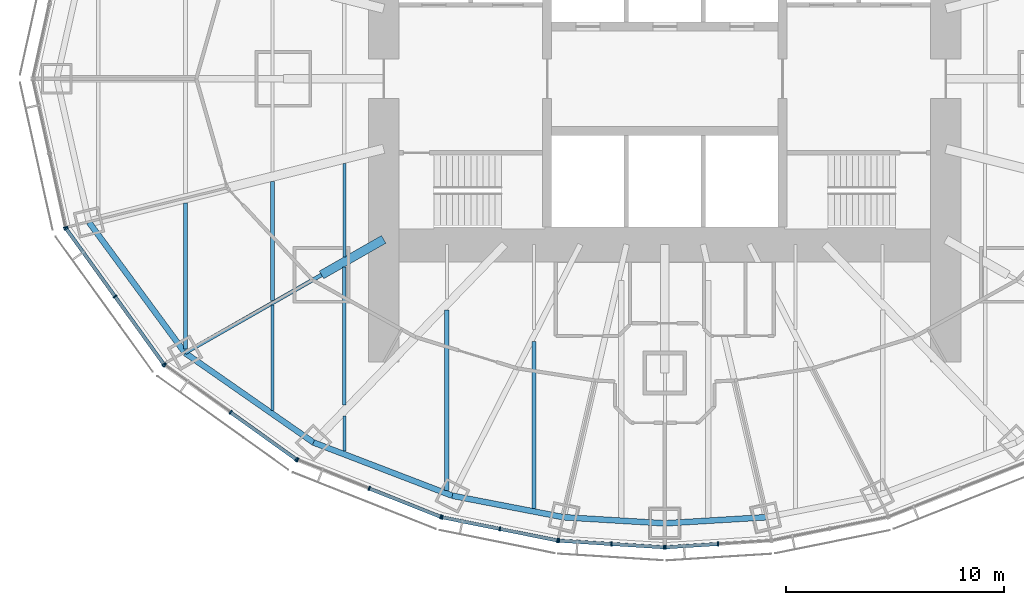
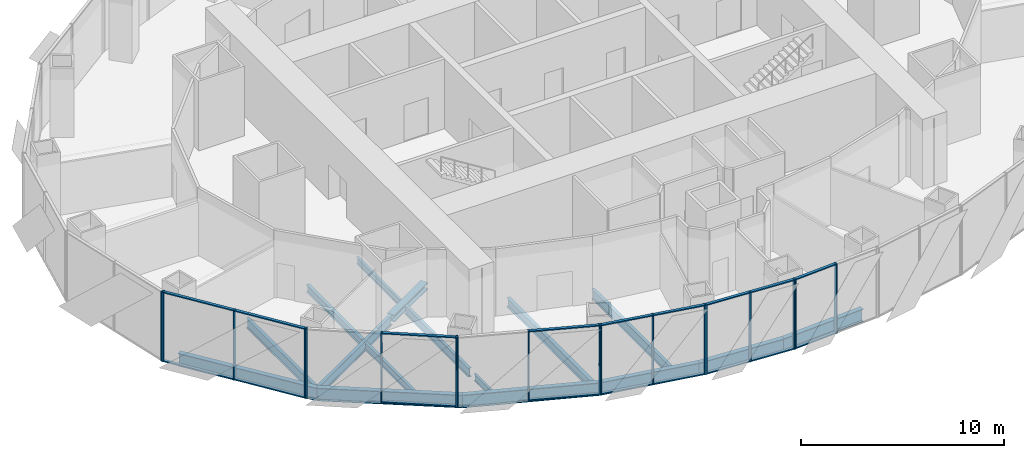
# One storey, part 2 of 17: 36 members, 16 beams, 7 elements without a shape of their own.
"""IFC4 building model written with IfcOpenShell, lengths in metres."""

from ifc_helpers import new_model, si_unit, direction, frame, origin, origin_2d, place, context, subcontext, project, spatial, rectangle, i_section, extrude, material, material_profile, profile_set, type_object, element, aggregate, save


model = new_model("IFC4")

# Units and contexts
model_context = context("Model", 3, precision=1e-05, world=origin(), true_north=direction((0.0, 1.0)))
body_context = subcontext(model_context, "Body", "Model", "MODEL_VIEW")
ifc_project = project(units=[si_unit("LENGTHUNIT", "METRE"), si_unit("AREAUNIT", "SQUARE_METRE"), si_unit("VOLUMEUNIT", "CUBIC_METRE"), si_unit("PLANEANGLEUNIT", "RADIAN"), si_unit("MASSUNIT", "GRAM", prefix="KILO")], contexts=[model_context])

# Site, building, storey
site_placement = place(None, origin())
site = spatial("IfcSite", under=ifc_project, at=site_placement, CompositionType="ELEMENT")
building_placement = place(site_placement, origin())
building = spatial("IfcBuilding", under=site, at=building_placement, Name="Lantaw Convention Tower", CompositionType="ELEMENT")
storey_placement = place(building_placement, frame((0.0, 0.0, 159.39990234375)))
storey = spatial("IfcBuildingStorey", under=building, at=storey_placement, Name="L37", CompositionType="ELEMENT", Elevation=159.39990234375)

# Beams
ifc_material_1 = material(Name="Steel ASTM A992", Category="steel")
ifc_material_profile_1 = material_profile(ifc_material_1, i_section(OverallWidth=0.2666015625, OverallDepth=0.76953125, WebThickness=0.015625, FlangeThickness=0.025390625, FilletRadius=0.0126953125, at=origin_2d()), Name="W30X132")
ifc_profile_set_1 = profile_set([ifc_material_profile_1], Name="Steel ASTM A992")
beam_type_1 = type_object("IfcBeamType", Name="Beam E W30X132", PredefinedType="SPANDREL", material=ifc_profile_set_1)
beam_1_placement = place(storey_placement, frame((-26.419921875, -6.587158203125, -0.53466796875), z_axis=(0.5923891972, -0.805651934176, 0.0), x_axis=(0.805651934176, 0.5923891972, 0.0)))
element("IfcBeam", 1, at=beam_1_placement, inside=storey, type_object=beam_type_1, Name="Edge beam 14", PredefinedType="SPANDREL", context=body_context, shape_type="SweptSolid", body=[
    extrude(i_section(OverallWidth=0.2666015625, OverallDepth=0.76953125, WebThickness=0.015625, FlangeThickness=0.025390625, FilletRadius=0.0126953125, at=origin_2d()), origin(), (0.0, 0.0, 1.0), 7.437744140625),
])
beam_2_placement = place(storey_placement, frame((-22.013916015625, -12.579345703125, -0.53466796875), z_axis=(0.820310765287, -0.57191804339, 0.0), x_axis=(0.57191804339, 0.820310765287, 0.0)))
element("IfcBeam", 2, at=beam_2_placement, inside=storey, type_object=beam_type_1, Name="Edge beam 15", PredefinedType="SPANDREL", context=body_context, shape_type="SweptSolid", body=[
    extrude(i_section(OverallWidth=0.2666015625, OverallDepth=0.76953125, WebThickness=0.015625, FlangeThickness=0.025390625, FilletRadius=0.0126953125, at=origin_2d()), origin(), (0.0, 0.0, 1.0), 7.187744140625),
])
beam_3_placement = place(storey_placement, frame((-16.11767578125, -16.690185546875, -0.53466796875), z_axis=(0.933691081977, -0.358079549033, 0.0), x_axis=(0.358079549033, 0.933691081977, 0.0)))
element("IfcBeam", 3, at=beam_3_placement, inside=storey, type_object=beam_type_1, Name="Edge beam 16", PredefinedType="SPANDREL", context=body_context, shape_type="SweptSolid", body=[
    extrude(i_section(OverallWidth=0.2666015625, OverallDepth=0.76953125, WebThickness=0.015625, FlangeThickness=0.025390625, FilletRadius=0.0126953125, at=origin_2d()), origin(), (0.0, 0.0, 1.0), 6.821533203125),
])
beam_4_placement = place(storey_placement, frame((-9.74853515625, -19.1328125, -0.53466796875), z_axis=(0.981796805654, -0.189934284446, 0.0), x_axis=(0.189934284446, 0.981796805654, 0.0)))
element("IfcBeam", 4, at=beam_4_placement, inside=storey, type_object=beam_type_1, Name="Edge beam 17", PredefinedType="SPANDREL", context=body_context, shape_type="SweptSolid", body=[
    extrude(i_section(OverallWidth=0.2666015625, OverallDepth=0.76953125, WebThickness=0.015625, FlangeThickness=0.025390625, FilletRadius=0.0126953125, at=origin_2d()), origin(), (0.0, 0.0, 1.0), 5.1982421875),
])
for number, where, z_axis, x_axis, name in (
    (5, (-4.64501953125, -20.1201171875, -0.53466796875), (0.998190892054, -0.06012439621, 0.0), (0.06012439621, 0.998190892054, 0.0), "Edge beam 18"),
    (6, (0.0, -20.39990234375, -0.53466796875), (0.998190892054, 0.06012439621, 0.0), (-0.06012439621, 0.998190892054, 0.0), "Edge beam 19"),
):
    element("IfcBeam", number, at=place(storey_placement, frame(where, z_axis=z_axis, x_axis=x_axis)), inside=storey, type_object=beam_type_1, Name=name, PredefinedType="SPANDREL", context=body_context, shape_type="SweptSolid", body=[
        extrude(i_section(OverallWidth=0.2666015625, OverallDepth=0.76953125, WebThickness=0.015625, FlangeThickness=0.025390625, FilletRadius=0.0126953125, at=origin_2d()), origin(), (0.0, 0.0, 1.0), 4.6533203125),
    ])
ifc_material_profile_2 = material_profile(ifc_material_1, i_section(OverallWidth=0.177978515625, OverallDepth=0.599365234375, WebThickness=0.010009765625, FlangeThickness=0.012939453125, FilletRadius=0.012939453125, at=origin_2d()), Name="W24X55")
ifc_profile_set_2 = profile_set([ifc_material_profile_2], Name="Steel ASTM A992")
beam_type_2 = type_object("IfcBeamType", Name="Beam G W24X55", PredefinedType="BEAM", material=ifc_profile_set_2)
beam_5_placement = place(storey_placement, frame((-15.75, -9.0, -0.44970703125), z_axis=(-0.868245224608, -0.496135293993, 0.0), x_axis=(0.496135293993, -0.868245224608, 0.0)))
element("IfcBeam", 7, at=beam_5_placement, inside=storey, type_object=beam_type_2, Name="Floor girder on ray 15", PredefinedType="BEAM", context=body_context, shape_type="SweptSolid", body=[
    extrude(i_section(OverallWidth=0.177978515625, OverallDepth=0.599365234375, WebThickness=0.010009765625, FlangeThickness=0.012939453125, FilletRadius=0.012939453125, at=origin_2d()), origin(), (0.0, 0.0, 1.0), 7.21435546875),
])
ifc_material_profile_3 = material_profile(ifc_material_1, i_section(OverallWidth=0.40380859375, OverallDepth=0.406494140625, WebThickness=0.027099609375, FlangeThickness=0.043701171875, FilletRadius=0.01513671875, at=origin_2d()), Name="W14X233")
ifc_profile_set_3 = profile_set([ifc_material_profile_3], Name="Steel ASTM A992")
beam_type_3 = type_object("IfcBeamType", Name="Beam GM W14X233", PredefinedType="BEAM", material=ifc_profile_set_3)
beam_6_placement = place(storey_placement, frame((-12.89990234375, -7.371337890625, -0.35302734375), z_axis=(-0.868238565244, -0.496146947811, 0.0), x_axis=(0.496146947811, -0.868238565244, 0.0)))
element("IfcBeam", 8, at=beam_6_placement, inside=storey, type_object=beam_type_3, Name="Core link beam on ray 15", PredefinedType="BEAM", context=body_context, shape_type="SweptSolid", body=[
    extrude(i_section(OverallWidth=0.40380859375, OverallDepth=0.406494140625, WebThickness=0.027099609375, FlangeThickness=0.043701171875, FilletRadius=0.01513671875, at=origin_2d()), origin(), (0.0, 0.0, 1.0), 3.28271484375),
])
ifc_material_profile_4 = material_profile(ifc_material_1, i_section(OverallWidth=0.140380859375, OverallDepth=0.40380859375, WebThickness=0.007080078125, FlangeThickness=0.01123046875, FilletRadius=0.01025390625, at=origin_2d()), Name="W16X31")
ifc_profile_set_4 = profile_set([ifc_material_profile_4], Name="Steel ASTM A992")
beam_type_4 = type_object("IfcBeamType", Name="Beam J W16X31", PredefinedType="JOIST", material=ifc_profile_set_4)
beam_7_placement = place(storey_placement, frame((-14.699951171875, -17.091064453125, -0.351806640625), z_axis=(0.0, 1.0, 0.0), x_axis=(-1.0, 0.0, 0.0)))
element("IfcBeam", 9, at=beam_7_placement, inside=storey, type_object=beam_type_4, Name="Floor joist", PredefinedType="JOIST", context=body_context, shape_type="SweptSolid", body=[
    extrude(i_section(OverallWidth=0.140380859375, OverallDepth=0.40380859375, WebThickness=0.007080078125, FlangeThickness=0.01123046875, FilletRadius=0.01025390625, at=origin_2d()), origin(), (0.0, 0.0, 1.0), 1.609130859375),
])
beam_8_placement = place(storey_placement, frame((-14.699951171875, -8.16748046875, -0.351806640625), z_axis=(0.0, 1.0, 0.0), x_axis=(-1.0, 0.0, 0.0)))
element("IfcBeam", 10, at=beam_8_placement, inside=storey, type_object=beam_type_4, Name="Floor joist", PredefinedType="JOIST", context=body_context, shape_type="SweptSolid", body=[
    extrude(i_section(OverallWidth=0.140380859375, OverallDepth=0.40380859375, WebThickness=0.007080078125, FlangeThickness=0.01123046875, FilletRadius=0.01025390625, at=origin_2d()), origin(), (0.0, 0.0, 1.0), 4.28515625),
])
ifc_material_profile_5 = material_profile(ifc_material_1, i_section(OverallWidth=0.15234375, OverallDepth=0.449462890625, WebThickness=0.007568359375, FlangeThickness=0.0107421875, FilletRadius=0.01025390625, at=origin_2d()), Name="W18X35")
ifc_profile_set_5 = profile_set([ifc_material_profile_5], Name="Steel ASTM A992")
beam_type_5 = type_object("IfcBeamType", Name="Beam J W18X35", PredefinedType="JOIST", material=ifc_profile_set_5)
beam_9_placement = place(storey_placement, frame((-18.0, -15.21533203125, -0.374755859375), z_axis=(0.0, 1.0, 0.0), x_axis=(-1.0, 0.0, 0.0)))
element("IfcBeam", 11, at=beam_9_placement, inside=storey, type_object=beam_type_5, Name="Floor joist", PredefinedType="JOIST", context=body_context, shape_type="SweptSolid", body=[
    extrude(i_section(OverallWidth=0.15234375, OverallDepth=0.449462890625, WebThickness=0.007568359375, FlangeThickness=0.0107421875, FilletRadius=0.01025390625, at=origin_2d()), origin(), (0.0, 0.0, 1.0), 4.8271484375),
])
ifc_material_profile_6 = material_profile(ifc_material_1, i_section(OverallWidth=0.1904296875, OverallDepth=0.457275390625, WebThickness=0.009033203125, FlangeThickness=0.014404296875, FilletRadius=0.01025390625, at=origin_2d()), Name="W18X50")
ifc_profile_set_6 = profile_set([ifc_material_profile_6], Name="Steel ASTM A992")
beam_type_6 = type_object("IfcBeamType", Name="Beam J W18X50", PredefinedType="JOIST", material=ifc_profile_set_6)
beam_10_placement = place(storey_placement, frame((-18.0, -10.18310546875, -0.37841796875), z_axis=(0.0, 1.0, 0.0), x_axis=(-1.0, 0.0, 0.0)))
element("IfcBeam", 12, at=beam_10_placement, inside=storey, type_object=beam_type_6, Name="Floor joist", PredefinedType="JOIST", context=body_context, shape_type="SweptSolid", body=[
    extrude(i_section(OverallWidth=0.1904296875, OverallDepth=0.457275390625, WebThickness=0.009033203125, FlangeThickness=0.014404296875, FilletRadius=0.01025390625, at=origin_2d()), origin(), (0.0, 0.0, 1.0), 5.47802734375),
])
ifc_material_profile_7 = material_profile(ifc_material_1, i_section(OverallWidth=0.1650390625, OverallDepth=0.52587890625, WebThickness=0.0087890625, FlangeThickness=0.011474609375, FilletRadius=0.0126953125, at=origin_2d()), Name="W21X44")
ifc_profile_set_7 = profile_set([ifc_material_profile_7], Name="Steel ASTM A992")
beam_type_7 = type_object("IfcBeamType", Name="Beam J W21X44", PredefinedType="JOIST", material=ifc_profile_set_7)
beam_11_placement = place(storey_placement, frame((-14.699951171875, -14.962646484375, -0.412841796875), z_axis=(0.0, 1.0, 0.0), x_axis=(-1.0, 0.0, 0.0)))
element("IfcBeam", 13, at=beam_11_placement, inside=storey, type_object=beam_type_7, Name="Floor joist", PredefinedType="JOIST", context=body_context, shape_type="SweptSolid", body=[
    extrude(i_section(OverallWidth=0.1650390625, OverallDepth=0.52587890625, WebThickness=0.0087890625, FlangeThickness=0.011474609375, FilletRadius=0.0126953125, at=origin_2d()), origin(), (0.0, 0.0, 1.0), 6.330078125),
])
ifc_material_profile_8 = material_profile(ifc_material_1, i_section(OverallWidth=0.2099609375, OverallDepth=0.535888671875, WebThickness=0.010986328125, FlangeThickness=0.017333984375, FilletRadius=0.012939453125, at=origin_2d()), Name="W21X68")
ifc_profile_set_8 = profile_set([ifc_material_profile_8], Name="Steel ASTM A992")
beam_type_8 = type_object("IfcBeamType", Name="Beam J W21X68", PredefinedType="JOIST", material=ifc_profile_set_8)
beam_12_placement = place(storey_placement, frame((-10.0, -18.8935546875, -0.41796875), z_axis=(0.0, 1.0, 0.0), x_axis=(-1.0, 0.0, 0.0)))
element("IfcBeam", 14, at=beam_12_placement, inside=storey, type_object=beam_type_8, Name="Floor joist", PredefinedType="JOIST", context=body_context, shape_type="SweptSolid", body=[
    extrude(i_section(OverallWidth=0.2099609375, OverallDepth=0.535888671875, WebThickness=0.010986328125, FlangeThickness=0.017333984375, FilletRadius=0.012939453125, at=origin_2d()), origin(), (0.0, 0.0, 1.0), 8.278564453125),
])
ifc_material_profile_9 = material_profile(ifc_material_1, i_section(OverallWidth=0.177978515625, OverallDepth=0.599365234375, WebThickness=0.010009765625, FlangeThickness=0.012939453125, FilletRadius=0.012939453125, at=origin_2d()), Name="W24X55")
ifc_profile_set_9 = profile_set([ifc_material_profile_9], Name="Steel ASTM A992")
beam_type_9 = type_object("IfcBeamType", Name="Beam J W24X55", PredefinedType="JOIST", material=ifc_profile_set_9)
beam_13_placement = place(storey_placement, frame((-22.0, -12.408935546875, -0.44970703125), z_axis=(0.0, 1.0, 0.0), x_axis=(-1.0, 0.0, 0.0)))
element("IfcBeam", 15, at=beam_13_placement, inside=storey, type_object=beam_type_9, Name="Floor joist", PredefinedType="JOIST", context=body_context, shape_type="SweptSolid", body=[
    extrude(i_section(OverallWidth=0.177978515625, OverallDepth=0.599365234375, WebThickness=0.010009765625, FlangeThickness=0.012939453125, FilletRadius=0.012939453125, at=origin_2d()), origin(), (0.0, 0.0, 1.0), 6.70654296875),
])
beam_14_placement = place(storey_placement, frame((-6.0, -19.72216796875, -0.44970703125), z_axis=(0.0, 1.0, 0.0), x_axis=(-1.0, 0.0, 0.0)))
element("IfcBeam", 16, at=beam_14_placement, inside=storey, type_object=beam_type_9, Name="Floor joist", PredefinedType="JOIST", context=body_context, shape_type="SweptSolid", body=[
    extrude(i_section(OverallWidth=0.177978515625, OverallDepth=0.599365234375, WebThickness=0.010009765625, FlangeThickness=0.012939453125, FilletRadius=0.012939453125, at=origin_2d()), origin(), (0.0, 0.0, 1.0), 7.666748046875),
])

# Curtain wall, member
ifc_material_2 = material(Name="Aluminium framed curtain wall", Category="aluminium")
curtain_wall_type = type_object("IfcCurtainWallType", Name="Office curtain wall low rise, pale aluminium", PredefinedType="USERDEFINED", material=ifc_material_2)
curtain_wall_1_placement = place(storey_placement, origin())
curtain_wall_1 = element("IfcCurtainWall", 17, at=curtain_wall_1_placement, inside=storey, type_object=curtain_wall_type, Name="Office curtain wall low rise, pale aluminium L37", ObjectType="UNITISED CURTAIN WALL", PredefinedType="USERDEFINED")
ifc_material_3 = material(Name="Aluminium 6063-T6", Category="aluminium")
ifc_material_profile_10 = material_profile(ifc_material_3, rectangle(XDim=0.199951171875, YDim=0.06494140625, at=origin_2d()), Name="CW-O1 mullion 65x200")
ifc_profile_set_10 = profile_set([ifc_material_profile_10], Name="Aluminium 6063-T6")
member_type_1 = type_object("IfcMemberType", Name="CW-O1 mullion 65x200", PredefinedType="MULLION", material=ifc_profile_set_10)
member_1_placement = place(storey_placement, frame((-27.494140625, -6.821533203125, -0.14990234375), z_axis=(0.0, 0.0, 1.0), x_axis=(0.9764936509, 0.215546166174, 0.0)))
member_1 = element("IfcMember", 18, at=member_1_placement, type_object=member_type_1, Name="CW-O1 mullion 3", PredefinedType="MULLION", context=body_context, shape_type="SweptSolid", body=[
    extrude(rectangle(XDim=0.199951171875, YDim=0.06494140625, at=origin_2d()), origin(), (0.0, 0.0, 1.0), 4.199951171875),
])
aggregate(curtain_wall_1, [member_1])

# Curtain wall, members
curtain_wall_2_placement = place(storey_placement, origin())
curtain_wall_2 = element("IfcCurtainWall", 19, at=curtain_wall_2_placement, inside=storey, type_object=curtain_wall_type, Name="Office curtain wall low rise, pale aluminium L37", ObjectType="UNITISED CURTAIN WALL", PredefinedType="USERDEFINED")
member_2_placement = place(storey_placement, frame((-27.46826171875, -6.879638671875, -0.14990234375), z_axis=(0.0, 0.0, 1.0), x_axis=(0.811384633629, 0.584512597221, 0.0)))
member_2 = element("IfcMember", 20, at=member_2_placement, type_object=member_type_1, Name="CW-O1 mullion 1", PredefinedType="MULLION", context=body_context, shape_type="SweptSolid", body=[
    extrude(rectangle(XDim=0.199951171875, YDim=0.06494140625, at=origin_2d()), origin(), (0.0, 0.0, 1.0), 4.199951171875),
])
member_3_placement = place(storey_placement, frame((-25.22802734375, -9.9892578125, -0.14990234375), z_axis=(0.0, 0.0, 1.0), x_axis=(0.811384633629, 0.584512597221, 0.0)))
member_3 = element("IfcMember", 21, at=member_3_placement, type_object=member_type_1, Name="CW-O1 mullion 2", PredefinedType="MULLION", context=body_context, shape_type="SweptSolid", body=[
    extrude(rectangle(XDim=0.199951171875, YDim=0.06494140625, at=origin_2d()), origin(), (0.0, 0.0, 1.0), 4.199951171875),
])
member_4_placement = place(storey_placement, frame((-22.988037109375, -13.098876953125, -0.14990234375), z_axis=(0.0, 0.0, 1.0), x_axis=(0.811384633629, 0.584512597221, 0.0)))
member_4 = element("IfcMember", 22, at=member_4_placement, type_object=member_type_1, Name="CW-O1 mullion 3", PredefinedType="MULLION", context=body_context, shape_type="SweptSolid", body=[
    extrude(rectangle(XDim=0.199951171875, YDim=0.06494140625, at=origin_2d()), origin(), (0.0, 0.0, 1.0), 4.199951171875),
])

curtain_wall_3_placement = place(storey_placement, origin())
curtain_wall_3 = element("IfcCurtainWall", 23, at=curtain_wall_3_placement, inside=storey, type_object=curtain_wall_type, Name="Office curtain wall low rise, pale aluminium L37", ObjectType="UNITISED CURTAIN WALL", PredefinedType="USERDEFINED")
member_5_placement = place(storey_placement, frame((-22.942626953125, -13.14404296875, -0.14990234375), z_axis=(0.0, 0.0, 1.0), x_axis=(0.581972695693, 0.813208325995, 0.0)))
member_5 = element("IfcMember", 24, at=member_5_placement, type_object=member_type_1, Name="CW-O1 mullion 1", PredefinedType="MULLION", context=body_context, shape_type="SweptSolid", body=[
    extrude(rectangle(XDim=0.199951171875, YDim=0.06494140625, at=origin_2d()), origin(), (0.0, 0.0, 1.0), 4.199951171875),
])
member_6_placement = place(storey_placement, frame((-19.92529296875, -15.303466796875, -0.14990234375), z_axis=(0.0, 0.0, 1.0), x_axis=(0.581972695693, 0.813208325995, 0.0)))
member_6 = element("IfcMember", 25, at=member_6_placement, type_object=member_type_1, Name="CW-O1 mullion 2", PredefinedType="MULLION", context=body_context, shape_type="SweptSolid", body=[
    extrude(rectangle(XDim=0.199951171875, YDim=0.06494140625, at=origin_2d()), origin(), (0.0, 0.0, 1.0), 4.199951171875),
])
member_7_placement = place(storey_placement, frame((-16.908203125, -17.462646484375, -0.14990234375), z_axis=(0.0, 0.0, 1.0), x_axis=(0.581972695693, 0.813208325995, 0.0)))
member_7 = element("IfcMember", 26, at=member_7_placement, type_object=member_type_1, Name="CW-O1 mullion 3", PredefinedType="MULLION", context=body_context, shape_type="SweptSolid", body=[
    extrude(rectangle(XDim=0.199951171875, YDim=0.06494140625, at=origin_2d()), origin(), (0.0, 0.0, 1.0), 4.199951171875),
])

curtain_wall_4_placement = place(storey_placement, origin())
curtain_wall_4 = element("IfcCurtainWall", 27, at=curtain_wall_4_placement, inside=storey, type_object=curtain_wall_type, Name="Office curtain wall low rise, pale aluminium L37", ObjectType="UNITISED CURTAIN WALL", PredefinedType="USERDEFINED")
member_8_placement = place(storey_placement, frame((-16.8515625, -17.49365234375, -0.14990234375), z_axis=(0.0, 0.0, 1.0), x_axis=(0.368701907483, 0.929547687544, 0.0)))
member_8 = element("IfcMember", 28, at=member_8_placement, type_object=member_type_1, Name="CW-O1 mullion 1", PredefinedType="MULLION", context=body_context, shape_type="SweptSolid", body=[
    extrude(rectangle(XDim=0.199951171875, YDim=0.06494140625, at=origin_2d()), origin(), (0.0, 0.0, 1.0), 4.199951171875),
])
member_9_placement = place(storey_placement, frame((-13.56494140625, -18.797119140625, -0.14990234375), z_axis=(0.0, 0.0, 1.0), x_axis=(0.368701907483, 0.929547687544, 0.0)))
member_9 = element("IfcMember", 29, at=member_9_placement, type_object=member_type_1, Name="CW-O1 mullion 2", PredefinedType="MULLION", context=body_context, shape_type="SweptSolid", body=[
    extrude(rectangle(XDim=0.199951171875, YDim=0.06494140625, at=origin_2d()), origin(), (0.0, 0.0, 1.0), 4.199951171875),
])
member_10_placement = place(storey_placement, frame((-10.2783203125, -20.100830078125, -0.14990234375), z_axis=(0.0, 0.0, 1.0), x_axis=(0.368701907483, 0.929547687544, 0.0)))
member_10 = element("IfcMember", 30, at=member_10_placement, type_object=member_type_1, Name="CW-O1 mullion 3", PredefinedType="MULLION", context=body_context, shape_type="SweptSolid", body=[
    extrude(rectangle(XDim=0.199951171875, YDim=0.06494140625, at=origin_2d()), origin(), (0.0, 0.0, 1.0), 4.199951171875),
])

curtain_wall_5_placement = place(storey_placement, origin())
curtain_wall_5 = element("IfcCurtainWall", 31, at=curtain_wall_5_placement, inside=storey, type_object=curtain_wall_type, Name="Office curtain wall low rise, pale aluminium L37", ObjectType="UNITISED CURTAIN WALL", PredefinedType="USERDEFINED")
member_11_placement = place(storey_placement, frame((-10.216064453125, -20.119140625, -0.14990234375), z_axis=(0.0, 0.0, 1.0), x_axis=(0.197506809659, 0.980301514912, 0.0)))
member_11 = element("IfcMember", 32, at=member_11_placement, type_object=member_type_1, Name="CW-O1 mullion 1", PredefinedType="MULLION", context=body_context, shape_type="SweptSolid", body=[
    extrude(rectangle(XDim=0.199951171875, YDim=0.06494140625, at=origin_2d()), origin(), (0.0, 0.0, 1.0), 4.199951171875),
])
member_12_placement = place(storey_placement, frame((-7.5703125, -20.65234375, -0.14990234375), z_axis=(0.0, 0.0, 1.0), x_axis=(0.197506809659, 0.980301514912, 0.0)))
member_12 = element("IfcMember", 33, at=member_12_placement, type_object=member_type_1, Name="CW-O1 mullion 2", PredefinedType="MULLION", context=body_context, shape_type="SweptSolid", body=[
    extrude(rectangle(XDim=0.199951171875, YDim=0.06494140625, at=origin_2d()), origin(), (0.0, 0.0, 1.0), 4.199951171875),
])
member_13_placement = place(storey_placement, frame((-4.92431640625, -21.185302734375, -0.14990234375), z_axis=(0.0, 0.0, 1.0), x_axis=(0.197506809659, 0.980301514912, 0.0)))
member_13 = element("IfcMember", 34, at=member_13_placement, type_object=member_type_1, Name="CW-O1 mullion 3", PredefinedType="MULLION", context=body_context, shape_type="SweptSolid", body=[
    extrude(rectangle(XDim=0.199951171875, YDim=0.06494140625, at=origin_2d()), origin(), (0.0, 0.0, 1.0), 4.199951171875),
])

curtain_wall_6_placement = place(storey_placement, origin())
curtain_wall_6 = element("IfcCurtainWall", 35, at=curtain_wall_6_placement, inside=storey, type_object=curtain_wall_type, Name="Office curtain wall low rise, pale aluminium L37", ObjectType="UNITISED CURTAIN WALL", PredefinedType="USERDEFINED")
member_14_placement = place(storey_placement, frame((-4.860107421875, -21.19384765625, -0.14990234375), z_axis=(0.0, 0.0, 1.0), x_axis=(0.062865059466, 0.998022035978, 0.0)))
member_14 = element("IfcMember", 36, at=member_14_placement, type_object=member_type_1, Name="CW-O1 mullion 1", PredefinedType="MULLION", context=body_context, shape_type="SweptSolid", body=[
    extrude(rectangle(XDim=0.199951171875, YDim=0.06494140625, at=origin_2d()), origin(), (0.0, 0.0, 1.0), 4.199951171875),
])
member_15_placement = place(storey_placement, frame((-2.4462890625, -21.345947265625, -0.14990234375), z_axis=(0.0, 0.0, 1.0), x_axis=(0.062865059466, 0.998022035978, 0.0)))
member_15 = element("IfcMember", 37, at=member_15_placement, type_object=member_type_1, Name="CW-O1 mullion 2", PredefinedType="MULLION", context=body_context, shape_type="SweptSolid", body=[
    extrude(rectangle(XDim=0.199951171875, YDim=0.06494140625, at=origin_2d()), origin(), (0.0, 0.0, 1.0), 4.199951171875),
])
member_16_placement = place(storey_placement, frame((-0.032470703125, -21.498046875, -0.14990234375), z_axis=(0.0, 0.0, 1.0), x_axis=(0.062865059466, 0.998022035978, 0.0)))
member_16 = element("IfcMember", 38, at=member_16_placement, type_object=member_type_1, Name="CW-O1 mullion 3", PredefinedType="MULLION", context=body_context, shape_type="SweptSolid", body=[
    extrude(rectangle(XDim=0.199951171875, YDim=0.06494140625, at=origin_2d()), origin(), (0.0, 0.0, 1.0), 4.199951171875),
])

curtain_wall_7_placement = place(storey_placement, origin())
curtain_wall_7 = element("IfcCurtainWall", 39, at=curtain_wall_7_placement, inside=storey, type_object=curtain_wall_type, Name="Office curtain wall low rise, pale aluminium L37", ObjectType="UNITISED CURTAIN WALL", PredefinedType="USERDEFINED")
member_17_placement = place(storey_placement, frame((0.032470703125, -21.498046875, -0.14990234375), z_axis=(0.0, 0.0, 1.0), x_axis=(-0.062865059466, 0.998022035978, 0.0)))
member_17 = element("IfcMember", 40, at=member_17_placement, type_object=member_type_1, Name="CW-O1 mullion 1", PredefinedType="MULLION", context=body_context, shape_type="SweptSolid", body=[
    extrude(rectangle(XDim=0.199951171875, YDim=0.06494140625, at=origin_2d()), origin(), (0.0, 0.0, 1.0), 4.199951171875),
])
member_18_placement = place(storey_placement, frame((2.4462890625, -21.345947265625, -0.14990234375), z_axis=(0.0, 0.0, 1.0), x_axis=(-0.062865059466, 0.998022035978, 0.0)))
member_18 = element("IfcMember", 41, at=member_18_placement, type_object=member_type_1, Name="CW-O1 mullion 2", PredefinedType="MULLION", context=body_context, shape_type="SweptSolid", body=[
    extrude(rectangle(XDim=0.199951171875, YDim=0.06494140625, at=origin_2d()), origin(), (0.0, 0.0, 1.0), 4.199951171875),
])

# Member
ifc_material_profile_11 = material_profile(ifc_material_3, rectangle(XDim=0.159912109375, YDim=0.06494140625, at=origin_2d()), Name="CW-O1 transom 65x160")
ifc_profile_set_11 = profile_set([ifc_material_profile_11], Name="Aluminium 6063-T6")
member_type_2 = type_object("IfcMemberType", Name="CW-O1 transom 65x160", PredefinedType="USERDEFINED", material=ifc_profile_set_11)
member_19_placement = place(storey_placement, frame((-27.44921875, -6.906005859375, -0.117431640625), z_axis=(0.584512973979, -0.811384362217, 0.0), x_axis=(0.811384362217, 0.584512973979, 0.0)))
member_19 = element("IfcMember", 42, at=member_19_placement, type_object=member_type_2, Name="CW-O1 transom 1.1", ObjectType="TRANSOM", PredefinedType="USERDEFINED", context=body_context, shape_type="SweptSolid", body=[
    extrude(rectangle(XDim=0.159912109375, YDim=0.06494140625, at=origin_2d()), origin(), (0.0, 0.0, 1.0), 3.767578125),
])

member_20_placement = place(storey_placement, frame((-27.44921875, -6.906005859375, 4.017578125), z_axis=(0.584512973979, -0.811384362217, 0.0), x_axis=(0.811384362217, 0.584512973979, 0.0)))
member_20 = element("IfcMember", 43, at=member_20_placement, type_object=member_type_2, Name="CW-O1 transom 1.2", ObjectType="TRANSOM", PredefinedType="USERDEFINED", context=body_context, shape_type="SweptSolid", body=[
    extrude(rectangle(XDim=0.159912109375, YDim=0.06494140625, at=origin_2d()), origin(), (0.0, 0.0, 1.0), 3.767578125),
])

member_21_placement = place(storey_placement, frame((-25.209228515625, -10.015625, -0.117431640625), z_axis=(0.584512973979, -0.811384362217, 0.0), x_axis=(0.811384362217, 0.584512973979, 0.0)))
member_21 = element("IfcMember", 44, at=member_21_placement, type_object=member_type_2, Name="CW-O1 transom 2.1", ObjectType="TRANSOM", PredefinedType="USERDEFINED", context=body_context, shape_type="SweptSolid", body=[
    extrude(rectangle(XDim=0.159912109375, YDim=0.06494140625, at=origin_2d()), origin(), (0.0, 0.0, 1.0), 3.767578125),
])

member_22_placement = place(storey_placement, frame((-25.209228515625, -10.015625, 4.017578125), z_axis=(0.584512973979, -0.811384362217, 0.0), x_axis=(0.811384362217, 0.584512973979, 0.0)))
member_22 = element("IfcMember", 45, at=member_22_placement, type_object=member_type_2, Name="CW-O1 transom 2.2", ObjectType="TRANSOM", PredefinedType="USERDEFINED", context=body_context, shape_type="SweptSolid", body=[
    extrude(rectangle(XDim=0.159912109375, YDim=0.06494140625, at=origin_2d()), origin(), (0.0, 0.0, 1.0), 3.767578125),
])

aggregate(curtain_wall_2, [member_2, member_3, member_4, member_19, member_20, member_21, member_22])

member_23_placement = place(storey_placement, frame((-19.89892578125, -15.322265625, -0.117431640625), z_axis=(0.813190089133, -0.581998177777, 0.0), x_axis=(0.581998177777, 0.813190089133, 0.0)))
member_23 = element("IfcMember", 46, at=member_23_placement, type_object=member_type_2, Name="CW-O1 transom 2.1", ObjectType="TRANSOM", PredefinedType="USERDEFINED", context=body_context, shape_type="SweptSolid", body=[
    extrude(rectangle(XDim=0.159912109375, YDim=0.06494140625, at=origin_2d()), origin(), (0.0, 0.0, 1.0), 3.645263671875),
])

member_24_placement = place(storey_placement, frame((-19.89892578125, -15.322265625, 4.017578125), z_axis=(0.813190089133, -0.581998177777, 0.0), x_axis=(0.581998177777, 0.813190089133, 0.0)))
member_24 = element("IfcMember", 47, at=member_24_placement, type_object=member_type_2, Name="CW-O1 transom 2.2", ObjectType="TRANSOM", PredefinedType="USERDEFINED", context=body_context, shape_type="SweptSolid", body=[
    extrude(rectangle(XDim=0.159912109375, YDim=0.06494140625, at=origin_2d()), origin(), (0.0, 0.0, 1.0), 3.645263671875),
])

aggregate(curtain_wall_3, [member_5, member_6, member_7, member_23, member_24])

member_25_placement = place(storey_placement, frame((-13.53466796875, -18.80908203125, -0.117431640625), z_axis=(0.929540081544, -0.368721082668, 0.0), x_axis=(0.368721082668, 0.929540081544, 0.0)))
member_25 = element("IfcMember", 48, at=member_25_placement, type_object=member_type_2, Name="CW-O1 transom 2.1", ObjectType="TRANSOM", PredefinedType="USERDEFINED", context=body_context, shape_type="SweptSolid", body=[
    extrude(rectangle(XDim=0.159912109375, YDim=0.06494140625, at=origin_2d()), origin(), (0.0, 0.0, 1.0), 3.470947265625),
])

member_26_placement = place(storey_placement, frame((-13.53466796875, -18.80908203125, 4.017578125), z_axis=(0.929540081544, -0.368721082668, 0.0), x_axis=(0.368721082668, 0.929540081544, 0.0)))
member_26 = element("IfcMember", 49, at=member_26_placement, type_object=member_type_2, Name="CW-O1 transom 2.2", ObjectType="TRANSOM", PredefinedType="USERDEFINED", context=body_context, shape_type="SweptSolid", body=[
    extrude(rectangle(XDim=0.159912109375, YDim=0.06494140625, at=origin_2d()), origin(), (0.0, 0.0, 1.0), 3.470947265625),
])

aggregate(curtain_wall_4, [member_8, member_9, member_10, member_25, member_26])

member_27_placement = place(storey_placement, frame((-10.184326171875, -20.125732421875, -0.117431640625), z_axis=(0.980301643003, -0.197506173891, 0.0), x_axis=(0.197506173891, 0.980301643003, 0.0)))
member_27 = element("IfcMember", 50, at=member_27_placement, type_object=member_type_2, Name="CW-O1 transom 1.1", ObjectType="TRANSOM", PredefinedType="USERDEFINED", context=body_context, shape_type="SweptSolid", body=[
    extrude(rectangle(XDim=0.159912109375, YDim=0.06494140625, at=origin_2d()), origin(), (0.0, 0.0, 1.0), 2.63427734375),
])

member_28_placement = place(storey_placement, frame((-10.184326171875, -20.125732421875, 4.017578125), z_axis=(0.980301643003, -0.197506173891, 0.0), x_axis=(0.197506173891, 0.980301643003, 0.0)))
member_28 = element("IfcMember", 51, at=member_28_placement, type_object=member_type_2, Name="CW-O1 transom 1.2", ObjectType="TRANSOM", PredefinedType="USERDEFINED", context=body_context, shape_type="SweptSolid", body=[
    extrude(rectangle(XDim=0.159912109375, YDim=0.06494140625, at=origin_2d()), origin(), (0.0, 0.0, 1.0), 2.63427734375),
])

member_29_placement = place(storey_placement, frame((-7.538330078125, -20.65869140625, -0.117431640625), z_axis=(0.980298027092, -0.197524120247, 0.0), x_axis=(0.197524120247, 0.980298027092, 0.0)))
member_29 = element("IfcMember", 52, at=member_29_placement, type_object=member_type_2, Name="CW-O1 transom 2.1", ObjectType="TRANSOM", PredefinedType="USERDEFINED", context=body_context, shape_type="SweptSolid", body=[
    extrude(rectangle(XDim=0.159912109375, YDim=0.06494140625, at=origin_2d()), origin(), (0.0, 0.0, 1.0), 2.634033203125),
])

member_30_placement = place(storey_placement, frame((-7.538330078125, -20.65869140625, 4.017578125), z_axis=(0.980298027092, -0.197524120247, 0.0), x_axis=(0.197524120247, 0.980298027092, 0.0)))
member_30 = element("IfcMember", 53, at=member_30_placement, type_object=member_type_2, Name="CW-O1 transom 2.2", ObjectType="TRANSOM", PredefinedType="USERDEFINED", context=body_context, shape_type="SweptSolid", body=[
    extrude(rectangle(XDim=0.159912109375, YDim=0.06494140625, at=origin_2d()), origin(), (0.0, 0.0, 1.0), 2.634033203125),
])

aggregate(curtain_wall_5, [member_11, member_12, member_13, member_27, member_28, member_29, member_30])

member_31_placement = place(storey_placement, frame((-4.82763671875, -21.19580078125, -0.117431640625), z_axis=(0.998022188463, -0.062862638625, 0.0), x_axis=(0.062862638625, 0.998022188463, 0.0)))
member_31 = element("IfcMember", 54, at=member_31_placement, type_object=member_type_2, Name="CW-O1 transom 1.1", ObjectType="TRANSOM", PredefinedType="USERDEFINED", context=body_context, shape_type="SweptSolid", body=[
    extrude(rectangle(XDim=0.159912109375, YDim=0.06494140625, at=origin_2d()), origin(), (0.0, 0.0, 1.0), 2.353515625),
])

member_32_placement = place(storey_placement, frame((-4.82763671875, -21.19580078125, 4.017578125), z_axis=(0.998022188463, -0.062862638625, 0.0), x_axis=(0.062862638625, 0.998022188463, 0.0)))
member_32 = element("IfcMember", 55, at=member_32_placement, type_object=member_type_2, Name="CW-O1 transom 1.2", ObjectType="TRANSOM", PredefinedType="USERDEFINED", context=body_context, shape_type="SweptSolid", body=[
    extrude(rectangle(XDim=0.159912109375, YDim=0.06494140625, at=origin_2d()), origin(), (0.0, 0.0, 1.0), 2.353515625),
])

member_33_placement = place(storey_placement, frame((-2.413818359375, -21.347900390625, -0.117431640625), z_axis=(0.998022188463, -0.062862638625, 0.0), x_axis=(0.062862638625, 0.998022188463, 0.0)))
member_33 = element("IfcMember", 56, at=member_33_placement, type_object=member_type_2, Name="CW-O1 transom 2.1", ObjectType="TRANSOM", PredefinedType="USERDEFINED", context=body_context, shape_type="SweptSolid", body=[
    extrude(rectangle(XDim=0.159912109375, YDim=0.06494140625, at=origin_2d()), origin(), (0.0, 0.0, 1.0), 2.353515625),
])

member_34_placement = place(storey_placement, frame((-2.413818359375, -21.347900390625, 4.017578125), z_axis=(0.998022188463, -0.062862638625, 0.0), x_axis=(0.062862638625, 0.998022188463, 0.0)))
member_34 = element("IfcMember", 57, at=member_34_placement, type_object=member_type_2, Name="CW-O1 transom 2.2", ObjectType="TRANSOM", PredefinedType="USERDEFINED", context=body_context, shape_type="SweptSolid", body=[
    extrude(rectangle(XDim=0.159912109375, YDim=0.06494140625, at=origin_2d()), origin(), (0.0, 0.0, 1.0), 2.353515625),
])

aggregate(curtain_wall_6, [member_14, member_15, member_16, member_31, member_32, member_33, member_34])

member_35_placement = place(storey_placement, frame((0.06494140625, -21.495849609375, -0.117431640625), z_axis=(0.998022188463, 0.062862638625, 0.0), x_axis=(-0.062862638625, 0.998022188463, 0.0)))
member_35 = element("IfcMember", 58, at=member_35_placement, type_object=member_type_2, Name="CW-O1 transom 1.1", ObjectType="TRANSOM", PredefinedType="USERDEFINED", context=body_context, shape_type="SweptSolid", body=[
    extrude(rectangle(XDim=0.159912109375, YDim=0.06494140625, at=origin_2d()), origin(), (0.0, 0.0, 1.0), 2.353515625),
])

member_36_placement = place(storey_placement, frame((0.06494140625, -21.495849609375, 4.017578125), z_axis=(0.998022188463, 0.062862638625, 0.0), x_axis=(-0.062862638625, 0.998022188463, 0.0)))
member_36 = element("IfcMember", 59, at=member_36_placement, type_object=member_type_2, Name="CW-O1 transom 1.2", ObjectType="TRANSOM", PredefinedType="USERDEFINED", context=body_context, shape_type="SweptSolid", body=[
    extrude(rectangle(XDim=0.159912109375, YDim=0.06494140625, at=origin_2d()), origin(), (0.0, 0.0, 1.0), 2.353515625),
])

aggregate(curtain_wall_7, [member_17, member_18, member_35, member_36])

save(model, "model.ifc")
